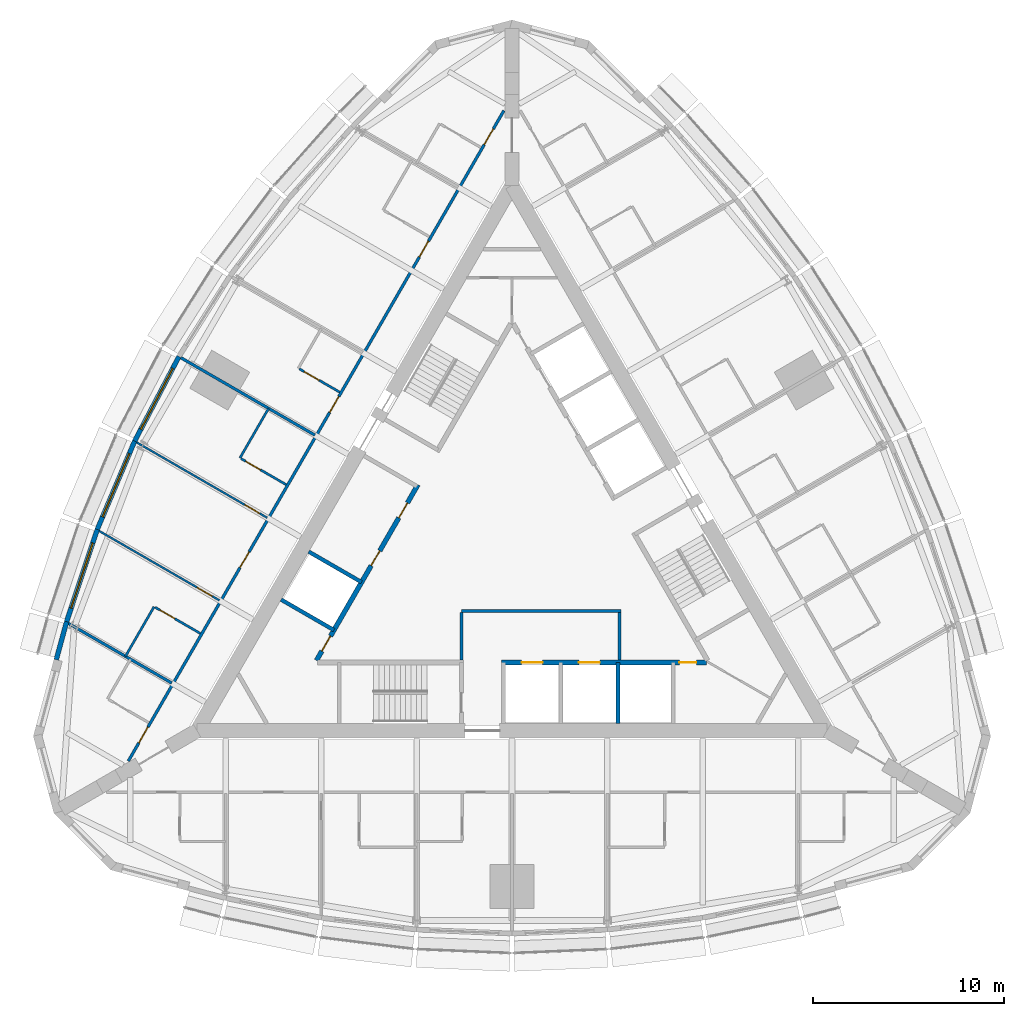
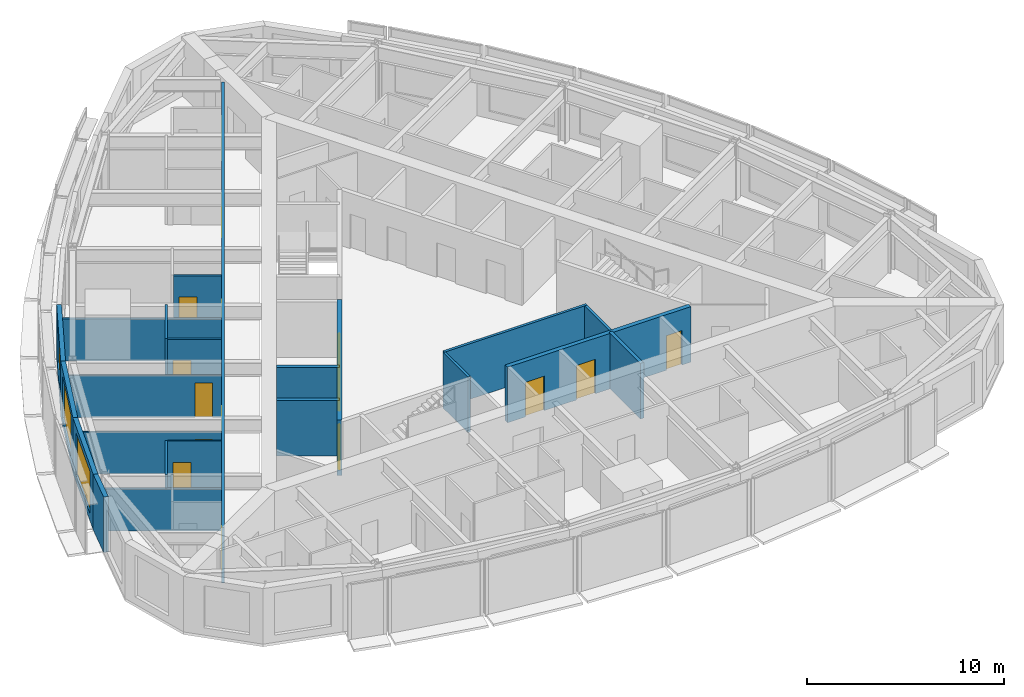
# One storey, part 10 of 15: 22 walls, 16 doors, 3 windows, 19 openings.
"""IFC4 building model written with IfcOpenShell, lengths in metres."""

from ifc_helpers import new_model, si_unit, direction, frame, frame_2d, origin, place, context, subcontext, project, spatial, rectangle, extrude, material, layer, layer_set, type_object, element, fill, save


model = new_model("IFC4")

# Units and contexts
model_context = context("Model", 3, precision=1e-05, world=origin(), true_north=direction((0.0, 1.0)))
body_context = subcontext(model_context, "Body", "Model", "MODEL_VIEW")
ifc_project = project(units=[si_unit("LENGTHUNIT", "METRE"), si_unit("AREAUNIT", "SQUARE_METRE"), si_unit("VOLUMEUNIT", "CUBIC_METRE"), si_unit("PLANEANGLEUNIT", "RADIAN"), si_unit("MASSUNIT", "GRAM", prefix="KILO")], contexts=[model_context])

# Site, building, storey
site_placement = place(None, origin())
site = spatial("IfcSite", under=ifc_project, at=site_placement, CompositionType="ELEMENT")
building_placement = place(site_placement, origin())
building = spatial("IfcBuilding", under=site, at=building_placement, Name="Trikona Tower", CompositionType="ELEMENT")
storey_placement = place(building_placement, frame((0.0, 0.0, 204.5)))
storey = spatial("IfcBuildingStorey", under=building, at=storey_placement, Name="L54", CompositionType="ELEMENT", Elevation=204.5)

# Wall, opening, door
ifc_material_1 = material(Name="Metal stud and cement board", Category="gypsum")
ifc_layer_1 = layer(ifc_material_1, 0.1201171875)
ifc_layer_set_1 = layer_set([ifc_layer_1], Name="Bathroom wall 120")
wall_type_1 = type_object("IfcWallType", Name="Bathroom wall 120", PredefinedType="PLUMBINGWALL", material=ifc_layer_set_1)
wall_1_placement = place(storey_placement, frame((-9.028564453125, 8.21484375, 0.0), z_axis=(0.0, 0.0, 1.0), x_axis=(-0.866023955769, 0.500002508028, 0.0)))
wall_1 = element("IfcWall", 1, at=wall_1_placement, inside=storey, type_object=wall_type_1, Name="Bathroom wall 5414", PredefinedType="PLUMBINGWALL", context=body_context, shape_type="SweptSolid", body=[
    extrude(rectangle(XDim=2.43994140625, YDim=0.1201171875, at=frame_2d((1.219970703125, 0.0))), origin(), (0.0, 0.0, 1.0), 3.43505859375),
])
opening_1_placement = place(wall_1_placement, frame((1.25, 0.0, 0.0)))
opening_1 = element("IfcOpeningElement", 2, at=opening_1_placement, cuts=wall_1, Name="Opening D2", PredefinedType="OPENING", context=body_context, shape_type="SweptSolid", body=[
    extrude(rectangle(XDim=0.89990234375, YDim=2.1298828125, at=frame_2d((0.449951171875, 1.06494140625))), frame((0.0, 0.070068359375, 0.0), z_axis=(0.0, -1.0, 0.0), x_axis=(1.0, 0.0, 0.0)), (0.0, 0.0, 1.0), 0.14013671875),
])
ifc_material_2 = material(Name="Steel door frame with solid-core timber leaf", Category="steel")
door_type_1 = type_object("IfcDoorType", Name="Bathroom door 900x2130", OperationType="SLIDING_TO_LEFT", PredefinedType="DOOR", material=ifc_material_2)
door_1_placement = place(opening_1_placement, origin())
door_1 = element("IfcDoor", 3, at=door_1_placement, inside=storey, type_object=door_type_1, Name="Bathroom door 5414", OperationType="SLIDING_TO_LEFT", OverallHeight=2.1298828125, OverallWidth=0.89990234375, PredefinedType="DOOR", context=body_context, shape_type="SweptSolid", body=[
    extrude(rectangle(XDim=0.89990234375, YDim=2.1298828125, at=frame_2d((0.449951171875, 1.06494140625))), frame((0.0, 0.02490234375, 0.0), z_axis=(0.0, -1.0, 0.0), x_axis=(1.0, 0.0, 0.0)), (0.0, 0.0, 1.0), 0.050048828125),
])
fill(opening_1, door_1)

# Wall
wall_2_placement = place(storey_placement, frame((-12.75341796875, 7.363037109375, 0.0), z_axis=(0.0, 0.0, 1.0), x_axis=(-0.50002537861, -0.866010750942, 0.0)))
element("IfcWall", 4, at=wall_2_placement, inside=storey, type_object=wall_type_1, Name="Bathroom wall 5415.1", PredefinedType="PLUMBINGWALL", context=body_context, shape_type="SweptSolid", body=[
    extrude(rectangle(XDim=2.999755859375, YDim=0.1201171875, at=frame_2d((1.5, 0.0))), origin(), (0.0, 0.0, 1.0), 3.43505859375),
])

# Wall, opening, door
wall_3_placement = place(storey_placement, frame((-11.82861328125, 3.364990234375, 0.0), z_axis=(0.0, 0.0, 1.0), x_axis=(-0.865997131366, 0.500048966069, 0.0)))
wall_3 = element("IfcWall", 5, at=wall_3_placement, inside=storey, type_object=wall_type_1, Name="Bathroom wall 5415.1", PredefinedType="PLUMBINGWALL", context=body_context, shape_type="SweptSolid", body=[
    extrude(rectangle(XDim=2.739990234375, YDim=0.1201171875, at=frame_2d((1.3701171875, 0.0))), origin(), (0.0, 0.0, 1.0), 3.43505859375),
])
opening_2_placement = place(wall_3_placement, frame((1.550048828125, 0.0, 0.0)))
opening_2 = element("IfcOpeningElement", 6, at=opening_2_placement, cuts=wall_3, Name="Opening D2", PredefinedType="OPENING", context=body_context, shape_type="SweptSolid", body=[
    extrude(rectangle(XDim=0.89990234375, YDim=2.1298828125, at=frame_2d((0.449951171875, 1.06494140625))), frame((0.0, 0.070068359375, 0.0), z_axis=(0.0, -1.0, 0.0), x_axis=(1.0, 0.0, 0.0)), (0.0, 0.0, 1.0), 0.14013671875),
])
door_2_placement = place(opening_2_placement, origin())
door_2 = element("IfcDoor", 7, at=door_2_placement, inside=storey, type_object=door_type_1, Name="Bathroom door 5415.1", OperationType="SLIDING_TO_LEFT", OverallHeight=2.1298828125, OverallWidth=0.89990234375, PredefinedType="DOOR", context=body_context, shape_type="SweptSolid", body=[
    extrude(rectangle(XDim=0.89990234375, YDim=2.1298828125, at=frame_2d((0.449951171875, 1.06494140625))), frame((0.0, 0.02490234375, 0.0), z_axis=(0.0, -1.0, 0.0), x_axis=(1.0, 0.0, 0.0)), (0.0, 0.0, 1.0), 0.050048828125),
])
fill(opening_2, door_2)

# Wall
wall_4_placement = place(storey_placement, frame((-18.75341796875, -3.029296875, 0.0), z_axis=(0.0, 0.0, 1.0), x_axis=(-0.50002537861, -0.866010750942, 0.0)))
element("IfcWall", 8, at=wall_4_placement, inside=storey, type_object=wall_type_1, Name="Bathroom wall 5415.2", PredefinedType="PLUMBINGWALL", context=body_context, shape_type="SweptSolid", body=[
    extrude(rectangle(XDim=2.999755859375, YDim=0.1201171875, at=frame_2d((1.5, 0.0))), origin(), (0.0, 0.0, 1.0), 3.43505859375),
])

# Wall, opening, door
wall_5_placement = place(storey_placement, frame((-16.32861328125, -4.42919921875, 0.0), z_axis=(0.0, 0.0, 1.0), x_axis=(-0.865997131366, 0.500048966069, 0.0)))
wall_5 = element("IfcWall", 9, at=wall_5_placement, inside=storey, type_object=wall_type_1, Name="Bathroom wall 5415.2", PredefinedType="PLUMBINGWALL", context=body_context, shape_type="SweptSolid", body=[
    extrude(rectangle(XDim=2.739990234375, YDim=0.1201171875, at=frame_2d((1.3701171875, 0.0))), origin(), (0.0, 0.0, 1.0), 3.43505859375),
])
opening_3_placement = place(wall_5_placement, frame((1.550048828125, 0.0, 0.0)))
opening_3 = element("IfcOpeningElement", 10, at=opening_3_placement, cuts=wall_5, Name="Opening D2", PredefinedType="OPENING", context=body_context, shape_type="SweptSolid", body=[
    extrude(rectangle(XDim=0.89990234375, YDim=2.1298828125, at=frame_2d((0.449951171875, 1.06494140625))), frame((0.0, 0.070068359375, 0.0), z_axis=(0.0, -1.0, 0.0), x_axis=(1.0, 0.0, 0.0)), (0.0, 0.0, 1.0), 0.14013671875),
])
door_3_placement = place(opening_3_placement, origin())
door_3 = element("IfcDoor", 11, at=door_3_placement, inside=storey, type_object=door_type_1, Name="Bathroom door 5415.2", OperationType="SLIDING_TO_LEFT", OverallHeight=2.1298828125, OverallWidth=0.89990234375, PredefinedType="DOOR", context=body_context, shape_type="SweptSolid", body=[
    extrude(rectangle(XDim=0.89990234375, YDim=2.1298828125, at=frame_2d((0.449951171875, 1.06494140625))), frame((0.0, 0.02490234375, 0.0), z_axis=(0.0, -1.0, 0.0), x_axis=(1.0, 0.0, 0.0)), (0.0, 0.0, 1.0), 0.050048828125),
])
fill(opening_3, door_3)

# Wall, openings, doors
ifc_material_3 = material(Name="Metal stud and gypsum board, 1-hour", Category="gypsum")
ifc_layer_2 = layer(ifc_material_3, 0.14990234375)
ifc_layer_set_2 = layer_set([ifc_layer_2], Name="Corridor wall 150")
wall_type_2 = type_object("IfcWallType", Name="Corridor wall 150", PredefinedType="PARTITIONING", material=ifc_layer_set_2)
wall_6_placement = place(storey_placement, frame((-0.425048828125, 22.96630859375, 0.0), z_axis=(0.0, 0.0, 1.0), x_axis=(-0.500000265775, -0.866025250339, 0.0)))
wall_6 = element("IfcWall", 12, at=wall_6_placement, inside=storey, type_object=wall_type_2, Name="Corridor wall L54-3", PredefinedType="PARTITIONING", context=body_context, shape_type="SweptSolid", body=[
    extrude(rectangle(XDim=39.35400390625, YDim=0.14990234375, at=frame_2d((19.677001953125, 0.0))), origin(), (0.0, 0.0, 1.0), 3.43505859375),
])
opening_4_placement = place(wall_6_placement, frame((1.10205078125, 0.0, 0.0)))
opening_4 = element("IfcOpeningElement", 13, at=opening_4_placement, cuts=wall_6, Name="Opening D1", PredefinedType="OPENING", context=body_context, shape_type="SweptSolid", body=[
    extrude(rectangle(XDim=0.949951171875, YDim=2.1298828125, at=frame_2d((0.47509765625, 1.06494140625))), frame((0.0, 0.0849609375, 0.0), z_axis=(0.0, -1.0, 0.0), x_axis=(1.0, 0.0, 0.0)), (0.0, 0.0, 1.0), 0.169921875),
])
opening_5_placement = place(wall_6_placement, frame((7.902099609375, 0.0, 0.0)))
opening_5 = element("IfcOpeningElement", 14, at=opening_5_placement, cuts=wall_6, Name="Opening D1", PredefinedType="OPENING", context=body_context, shape_type="SweptSolid", body=[
    extrude(rectangle(XDim=0.949951171875, YDim=2.1298828125, at=frame_2d((0.47509765625, 1.06494140625))), frame((0.0, 0.0849609375, 0.0), z_axis=(0.0, -1.0, 0.0), x_axis=(1.0, 0.0, 0.0)), (0.0, 0.0, 1.0), 0.169921875),
])
opening_6_placement = place(wall_6_placement, frame((17.302001953125, 0.0, 0.0)))
opening_6 = element("IfcOpeningElement", 15, at=opening_6_placement, cuts=wall_6, Name="Opening D1", PredefinedType="OPENING", context=body_context, shape_type="SweptSolid", body=[
    extrude(rectangle(XDim=0.949951171875, YDim=2.1298828125, at=frame_2d((0.47509765625, 1.06494140625))), frame((0.0, 0.0849609375, 0.0), z_axis=(0.0, -1.0, 0.0), x_axis=(1.0, 0.0, 0.0)), (0.0, 0.0, 1.0), 0.169921875),
])
opening_7_placement = place(wall_6_placement, frame((26.701904296875, 0.0, 0.0)))
opening_7 = element("IfcOpeningElement", 16, at=opening_7_placement, cuts=wall_6, Name="Opening D1", PredefinedType="OPENING", context=body_context, shape_type="SweptSolid", body=[
    extrude(rectangle(XDim=0.949951171875, YDim=2.1298828125, at=frame_2d((0.47509765625, 1.06494140625))), frame((0.0, 0.0849609375, 0.0), z_axis=(0.0, -1.0, 0.0), x_axis=(1.0, 0.0, 0.0)), (0.0, 0.0, 1.0), 0.169921875),
])
opening_8_placement = place(wall_6_placement, frame((37.302001953125, 0.0, 0.0)))
opening_8 = element("IfcOpeningElement", 17, at=opening_8_placement, cuts=wall_6, Name="Opening D1", PredefinedType="OPENING", context=body_context, shape_type="SweptSolid", body=[
    extrude(rectangle(XDim=0.949951171875, YDim=2.1298828125, at=frame_2d((0.47509765625, 1.06494140625))), frame((0.0, 0.0849609375, 0.0), z_axis=(0.0, -1.0, 0.0), x_axis=(1.0, 0.0, 0.0)), (0.0, 0.0, 1.0), 0.169921875),
])
ifc_material_4 = material(Name="Steel door frame with solid-core timber leaf", Category="steel")
door_type_2 = type_object("IfcDoorType", Name="Guest room door 950x2130", OperationType="SINGLE_SWING_LEFT", PredefinedType="DOOR", material=ifc_material_4)
door_4_placement = place(opening_4_placement, origin())
door_4 = element("IfcDoor", 18, at=door_4_placement, inside=storey, type_object=door_type_2, Name="Room door 5412", OperationType="SINGLE_SWING_LEFT", OverallHeight=2.1298828125, OverallWidth=0.949951171875, PredefinedType="DOOR", context=body_context, shape_type="SweptSolid", body=[
    extrude(rectangle(XDim=0.949951171875, YDim=2.1298828125, at=frame_2d((0.47509765625, 1.06494140625))), frame((0.0, 0.02490234375, 0.0), z_axis=(0.0, -1.0, 0.0), x_axis=(1.0, 0.0, 0.0)), (0.0, 0.0, 1.0), 0.050048828125),
])
fill(opening_4, door_4)
door_5_placement = place(opening_5_placement, origin())
door_5 = element("IfcDoor", 19, at=door_5_placement, inside=storey, type_object=door_type_2, Name="Room door 5413", OperationType="SINGLE_SWING_RIGHT", OverallHeight=2.1298828125, OverallWidth=0.949951171875, PredefinedType="DOOR", context=body_context, shape_type="SweptSolid", body=[
    extrude(rectangle(XDim=0.949951171875, YDim=2.1298828125, at=frame_2d((0.47509765625, 1.06494140625))), frame((0.0, 0.02490234375, 0.0), z_axis=(0.0, -1.0, 0.0), x_axis=(1.0, 0.0, 0.0)), (0.0, 0.0, 1.0), 0.050048828125),
])
fill(opening_5, door_5)
door_6_placement = place(opening_6_placement, origin())
door_6 = element("IfcDoor", 20, at=door_6_placement, inside=storey, type_object=door_type_2, Name="Room door 5414", OperationType="SINGLE_SWING_LEFT", OverallHeight=2.1298828125, OverallWidth=0.949951171875, PredefinedType="DOOR", context=body_context, shape_type="SweptSolid", body=[
    extrude(rectangle(XDim=0.949951171875, YDim=2.1298828125, at=frame_2d((0.47509765625, 1.06494140625))), frame((0.0, 0.02490234375, 0.0), z_axis=(0.0, -1.0, 0.0), x_axis=(1.0, 0.0, 0.0)), (0.0, 0.0, 1.0), 0.050048828125),
])
fill(opening_6, door_6)
door_7_placement = place(opening_7_placement, origin())
door_7 = element("IfcDoor", 21, at=door_7_placement, inside=storey, type_object=door_type_2, Name="Room door 5415", OperationType="SINGLE_SWING_RIGHT", OverallHeight=2.1298828125, OverallWidth=0.949951171875, PredefinedType="DOOR", context=body_context, shape_type="SweptSolid", body=[
    extrude(rectangle(XDim=0.949951171875, YDim=2.1298828125, at=frame_2d((0.47509765625, 1.06494140625))), frame((0.0, 0.02490234375, 0.0), z_axis=(0.0, -1.0, 0.0), x_axis=(1.0, 0.0, 0.0)), (0.0, 0.0, 1.0), 0.050048828125),
])
fill(opening_7, door_7)
door_8_placement = place(opening_8_placement, origin())
door_8 = element("IfcDoor", 22, at=door_8_placement, inside=storey, type_object=door_type_2, Name="Room door 5416", OperationType="SINGLE_SWING_RIGHT", OverallHeight=2.1298828125, OverallWidth=0.949951171875, PredefinedType="DOOR", context=body_context, shape_type="SweptSolid", body=[
    extrude(rectangle(XDim=0.949951171875, YDim=2.1298828125, at=frame_2d((0.47509765625, 1.06494140625))), frame((0.0, 0.02490234375, 0.0), z_axis=(0.0, -1.0, 0.0), x_axis=(1.0, 0.0, 0.0)), (0.0, 0.0, 1.0), 0.050048828125),
])
fill(opening_8, door_8)

ifc_material_5 = material(Name="Concrete f'c 8000 psi", Category="concrete")
ifc_layer_3 = layer(ifc_material_5, 0.25)
ifc_layer_set_3 = layer_set([ifc_layer_3], Name="Hub wall 250")
wall_type_3 = type_object("IfcWallType", Name="Hub wall 250", PredefinedType="SOLIDWALL", material=ifc_layer_set_3)
wall_7_placement = place(storey_placement, frame((-0.550048828125, -5.951416015625, 0.0), z_axis=(0.0, 0.0, 1.0), x_axis=(1.0, 0.0, 0.0)))
wall_7 = element("IfcWall", 23, at=wall_7_placement, inside=storey, type_object=wall_type_3, Name="Lift lobby wall A2", PredefinedType="SOLIDWALL", context=body_context, shape_type="SweptSolid", body=[
    extrude(rectangle(XDim=10.73291015625, YDim=0.25, at=frame_2d((5.366455078125, 0.0))), origin(), (0.0, 0.0, 1.0), 3.43505859375),
])
opening_9_placement = place(wall_7_placement, frame((9.31396484375, 0.0, 0.0)))
opening_9 = element("IfcOpeningElement", 24, at=opening_9_placement, cuts=wall_7, Name="Opening D14", PredefinedType="OPENING", context=body_context, shape_type="SweptSolid", body=[
    extrude(rectangle(XDim=0.89990234375, YDim=2.1298828125, at=frame_2d((0.449951171875, 1.06494140625))), frame((0.0, 0.135009765625, 0.0), z_axis=(0.0, -1.0, 0.0), x_axis=(1.0, 0.0, 0.0)), (0.0, 0.0, 1.0), 0.27001953125),
])
opening_10_placement = place(wall_7_placement, frame((1.050048828125, 0.0, 0.0)))
opening_10 = element("IfcOpeningElement", 25, at=opening_10_placement, cuts=wall_7, Name="Opening LD", PredefinedType="OPENING", context=body_context, shape_type="SweptSolid", body=[
    extrude(rectangle(XDim=1.10009765625, YDim=2.1298828125, at=frame_2d((0.550048828125, 1.06494140625))), frame((0.0, 0.135009765625, 0.0), z_axis=(0.0, -1.0, 0.0), x_axis=(1.0, 0.0, 0.0)), (0.0, 0.0, 1.0), 0.27001953125),
])
opening_11_placement = place(wall_7_placement, frame((4.050048828125, 0.0, 0.0)))
opening_11 = element("IfcOpeningElement", 26, at=opening_11_placement, cuts=wall_7, Name="Opening LD", PredefinedType="OPENING", context=body_context, shape_type="SweptSolid", body=[
    extrude(rectangle(XDim=1.10009765625, YDim=2.1298828125, at=frame_2d((0.550048828125, 1.06494140625))), frame((0.0, 0.135009765625, 0.0), z_axis=(0.0, -1.0, 0.0), x_axis=(1.0, 0.0, 0.0)), (0.0, 0.0, 1.0), 0.27001953125),
])
ifc_material_6 = material(Name="Stainless steel lift landing door", Category="steel")
door_type_3 = type_object("IfcDoorType", Name="Lift landing door 1100x2130", OperationType="DOUBLE_DOOR_SLIDING", PredefinedType="USERDEFINED", material=ifc_material_6)
door_9_placement = place(opening_10_placement, origin())
door_9 = element("IfcDoor", 27, at=door_9_placement, inside=storey, type_object=door_type_3, Name="Lift landing door FF1", ObjectType="LIFT LANDING DOOR", OperationType="DOUBLE_DOOR_SLIDING", OverallHeight=2.1298828125, OverallWidth=1.10009765625, PredefinedType="USERDEFINED", context=body_context, shape_type="SweptSolid", body=[
    extrude(rectangle(XDim=1.10009765625, YDim=2.1298828125, at=frame_2d((0.550048828125, 1.06494140625))), frame((0.0, 0.02490234375, 0.0), z_axis=(0.0, -1.0, 0.0), x_axis=(1.0, 0.0, 0.0)), (0.0, 0.0, 1.0), 0.050048828125),
])
fill(opening_10, door_9)
door_10_placement = place(opening_11_placement, origin())
door_10 = element("IfcDoor", 28, at=door_10_placement, inside=storey, type_object=door_type_3, Name="Lift landing door FF2", ObjectType="LIFT LANDING DOOR", OperationType="DOUBLE_DOOR_SLIDING", OverallHeight=2.1298828125, OverallWidth=1.10009765625, PredefinedType="USERDEFINED", context=body_context, shape_type="SweptSolid", body=[
    extrude(rectangle(XDim=1.10009765625, YDim=2.1298828125, at=frame_2d((0.550048828125, 1.06494140625))), frame((0.0, 0.02490234375, 0.0), z_axis=(0.0, -1.0, 0.0), x_axis=(1.0, 0.0, 0.0)), (0.0, 0.0, 1.0), 0.050048828125),
])
fill(opening_11, door_10)
ifc_material_7 = material(Name="Hollow metal door and frame", Category="steel")
door_type_4 = type_object("IfcDoorType", Name="Service room door 900x2130", OperationType="SINGLE_SWING_LEFT", PredefinedType="DOOR", material=ifc_material_7)
door_11_placement = place(opening_9_placement, origin())
door_11 = element("IfcDoor", 29, at=door_11_placement, inside=storey, type_object=door_type_4, Name="Door Ice and vending ICE", OperationType="SINGLE_SWING_RIGHT", OverallHeight=2.1298828125, OverallWidth=0.89990234375, PredefinedType="DOOR", context=body_context, shape_type="SweptSolid", body=[
    extrude(rectangle(XDim=0.89990234375, YDim=2.1298828125, at=frame_2d((0.449951171875, 1.06494140625))), frame((0.0, 0.02490234375, 0.0), z_axis=(0.0, -1.0, 0.0), x_axis=(1.0, 0.0, 0.0)), (0.0, 0.0, 1.0), 0.050048828125),
])
fill(opening_9, door_11)

wall_8_placement = place(storey_placement, frame((-4.928955078125, 3.365478515625, 0.0), z_axis=(0.0, 0.0, 1.0), x_axis=(-0.499991433582, -0.866030349552, 0.0)))
wall_8 = element("IfcWall", 30, at=wall_8_placement, inside=storey, type_object=wall_type_3, Name="Lift lobby wall C2", PredefinedType="SOLIDWALL", context=body_context, shape_type="SweptSolid", body=[
    extrude(rectangle(XDim=10.633056640625, YDim=0.25, at=frame_2d((5.31640625, 0.0))), origin(), (0.0, 0.0, 1.0), 3.43505859375),
])
opening_12_placement = place(wall_8_placement, frame((9.1640625, 0.0, 0.0)))
opening_12 = element("IfcOpeningElement", 31, at=opening_12_placement, cuts=wall_8, Name="Opening D14", PredefinedType="OPENING", context=body_context, shape_type="SweptSolid", body=[
    extrude(rectangle(XDim=0.89990234375, YDim=2.1298828125, at=frame_2d((0.449951171875, 1.06494140625))), frame((0.0, 0.135009765625, 0.0), z_axis=(0.0, -1.0, 0.0), x_axis=(1.0, 0.0, 0.0)), (0.0, 0.0, 1.0), 0.27001953125),
])
opening_13_placement = place(wall_8_placement, frame((1.10009765625, 0.0, 0.0)))
opening_13 = element("IfcOpeningElement", 32, at=opening_13_placement, cuts=wall_8, Name="Opening D14", PredefinedType="OPENING", context=body_context, shape_type="SweptSolid", body=[
    extrude(rectangle(XDim=0.89990234375, YDim=2.1298828125, at=frame_2d((0.449951171875, 1.06494140625))), frame((0.0, 0.135009765625, 0.0), z_axis=(0.0, -1.0, 0.0), x_axis=(1.0, 0.0, 0.0)), (0.0, 0.0, 1.0), 0.27001953125),
])
opening_14_placement = place(wall_8_placement, frame((4.0, 0.0, 0.0)))
opening_14 = element("IfcOpeningElement", 33, at=opening_14_placement, cuts=wall_8, Name="Opening D14", PredefinedType="OPENING", context=body_context, shape_type="SweptSolid", body=[
    extrude(rectangle(XDim=0.89990234375, YDim=2.1298828125, at=frame_2d((0.449951171875, 1.06494140625))), frame((0.0, 0.135009765625, 0.0), z_axis=(0.0, -1.0, 0.0), x_axis=(1.0, 0.0, 0.0)), (0.0, 0.0, 1.0), 0.27001953125),
])
door_12_placement = place(opening_12_placement, origin())
door_12 = element("IfcDoor", 34, at=door_12_placement, inside=storey, type_object=door_type_4, Name="Door Linen store LIN", OperationType="SINGLE_SWING_RIGHT", OverallHeight=2.1298828125, OverallWidth=0.89990234375, PredefinedType="DOOR", context=body_context, shape_type="SweptSolid", body=[
    extrude(rectangle(XDim=0.89990234375, YDim=2.1298828125, at=frame_2d((0.449951171875, 1.06494140625))), frame((0.0, 0.02490234375, 0.0), z_axis=(0.0, -1.0, 0.0), x_axis=(1.0, 0.0, 0.0)), (0.0, 0.0, 1.0), 0.050048828125),
])
fill(opening_12, door_12)
door_13_placement = place(opening_13_placement, origin())
door_13 = element("IfcDoor", 35, at=door_13_placement, inside=storey, type_object=door_type_4, Name="Door Guest pantry PAN1", OperationType="SINGLE_SWING_LEFT", OverallHeight=2.1298828125, OverallWidth=0.89990234375, PredefinedType="DOOR", context=body_context, shape_type="SweptSolid", body=[
    extrude(rectangle(XDim=0.89990234375, YDim=2.1298828125, at=frame_2d((0.449951171875, 1.06494140625))), frame((0.0, 0.02490234375, 0.0), z_axis=(0.0, -1.0, 0.0), x_axis=(1.0, 0.0, 0.0)), (0.0, 0.0, 1.0), 0.050048828125),
])
fill(opening_13, door_13)
door_14_placement = place(opening_14_placement, origin())
door_14 = element("IfcDoor", 36, at=door_14_placement, inside=storey, type_object=door_type_4, Name="Door Guest pantry PAN1", OperationType="SINGLE_SWING_RIGHT", OverallHeight=2.1298828125, OverallWidth=0.89990234375, PredefinedType="DOOR", context=body_context, shape_type="SweptSolid", body=[
    extrude(rectangle(XDim=0.89990234375, YDim=2.1298828125, at=frame_2d((0.449951171875, 1.06494140625))), frame((0.0, 0.02490234375, 0.0), z_axis=(0.0, -1.0, 0.0), x_axis=(1.0, 0.0, 0.0)), (0.0, 0.0, 1.0), 0.050048828125),
])
fill(opening_14, door_14)

# Wall, opening, window
ifc_material_8 = material(Name="Insulated precast concrete spandrel panel", Category="concrete")
ifc_layer_4 = layer(ifc_material_8, 0.25)
ifc_layer_set_4 = layer_set([ifc_layer_4], Name="Inner skin wall 250")
wall_type_4 = type_object("IfcWallType", Name="Inner skin wall 250", PredefinedType="STANDARD", material=ifc_layer_set_4)
wall_9_placement = place(storey_placement, frame((-17.450439453125, 10.080810546875, 0.0), z_axis=(0.0, 0.0, 1.0), x_axis=(-0.463976002579, -0.885847768542, 0.0)))
wall_9 = element("IfcWall", 37, at=wall_9_placement, inside=storey, type_object=wall_type_4, Name="External wall L54-28", PredefinedType="STANDARD", context=body_context, shape_type="SweptSolid", body=[
    extrude(rectangle(XDim=5.004150390625, YDim=0.25, at=frame_2d((2.501953125, 0.0))), origin(), (0.0, 0.0, 1.0), 3.43505859375),
])
opening_15_placement = place(wall_9_placement, frame((0.7021484375, 0.0, 0.449951171875)))
opening_15 = element("IfcOpeningElement", 38, at=opening_15_placement, cuts=wall_9, Name="Opening W3626", PredefinedType="OPENING", context=body_context, shape_type="SweptSolid", body=[
    extrude(rectangle(XDim=3.60009765625, YDim=2.60009765625, at=frame_2d((1.800048828125, 1.300048828125))), frame((0.0, 0.135009765625, 0.0), z_axis=(0.0, -1.0, 0.0), x_axis=(1.0, 0.0, 0.0)), (0.0, 0.0, 1.0), 0.27001953125),
])
ifc_material_9 = material(Name="Aluminium-framed double glazing", Category="aluminium")
window_type = type_object("IfcWindowType", Name="Window 3600x2600", PartitioningType="SINGLE_PANEL", PredefinedType="WINDOW", material=ifc_material_9)
window_1_placement = place(opening_15_placement, origin())
window_1 = element("IfcWindow", 39, at=window_1_placement, inside=storey, type_object=window_type, Name="Window 5415.1", OverallHeight=2.60009765625, OverallWidth=3.60009765625, PartitioningType="SINGLE_PANEL", PredefinedType="WINDOW", context=body_context, shape_type="SweptSolid", body=[
    extrude(rectangle(XDim=3.60009765625, YDim=2.60009765625, at=frame_2d((1.800048828125, 1.300048828125))), frame((0.0, 0.030029296875, 0.0), z_axis=(0.0, -1.0, 0.0), x_axis=(1.0, 0.0, 0.0)), (0.0, 0.0, 1.0), 0.06005859375),
])
fill(opening_15, window_1)

wall_10_placement = place(storey_placement, frame((-19.767578125, 5.656982421875, 0.0), z_axis=(0.0, 0.0, 1.0), x_axis=(-0.390096809471, -0.920773848044, 0.0)))
wall_10 = element("IfcWall", 40, at=wall_10_placement, inside=storey, type_object=wall_type_4, Name="External wall L54-29", PredefinedType="STANDARD", context=body_context, shape_type="SweptSolid", body=[
    extrude(rectangle(XDim=5.0380859375, YDim=0.25, at=frame_2d((2.51904296875, 0.0))), origin(), (0.0, 0.0, 1.0), 3.43505859375),
])
opening_16_placement = place(wall_10_placement, frame((0.718994140625, 0.0, 0.449951171875)))
opening_16 = element("IfcOpeningElement", 41, at=opening_16_placement, cuts=wall_10, Name="Opening W3626", PredefinedType="OPENING", context=body_context, shape_type="SweptSolid", body=[
    extrude(rectangle(XDim=3.60009765625, YDim=2.60009765625, at=frame_2d((1.800048828125, 1.300048828125))), frame((0.0, 0.135009765625, 0.0), z_axis=(0.0, -1.0, 0.0), x_axis=(1.0, 0.0, 0.0)), (0.0, 0.0, 1.0), 0.27001953125),
])
window_2_placement = place(opening_16_placement, origin())
window_2 = element("IfcWindow", 42, at=window_2_placement, inside=storey, type_object=window_type, Name="Window 5415", OverallHeight=2.60009765625, OverallWidth=3.60009765625, PartitioningType="SINGLE_PANEL", PredefinedType="WINDOW", context=body_context, shape_type="SweptSolid", body=[
    extrude(rectangle(XDim=3.60009765625, YDim=2.60009765625, at=frame_2d((1.800048828125, 1.300048828125))), frame((0.0, 0.030029296875, 0.0), z_axis=(0.0, -1.0, 0.0), x_axis=(1.0, 0.0, 0.0)), (0.0, 0.0, 1.0), 0.06005859375),
])
fill(opening_16, window_2)

wall_11_placement = place(storey_placement, frame((-21.729248046875, 1.027587890625, 0.0), z_axis=(0.0, 0.0, 1.0), x_axis=(-0.315108478109, -0.949055660656, 0.0)))
wall_11 = element("IfcWall", 43, at=wall_11_placement, inside=storey, type_object=wall_type_4, Name="External wall L54-30", PredefinedType="STANDARD", context=body_context, shape_type="SweptSolid", body=[
    extrude(rectangle(XDim=5.10498046875, YDim=0.25, at=frame_2d((2.552490234375, 0.0))), origin(), (0.0, 0.0, 1.0), 3.43505859375),
])
opening_17_placement = place(wall_11_placement, frame((0.75244140625, 0.0, 0.449951171875)))
opening_17 = element("IfcOpeningElement", 44, at=opening_17_placement, cuts=wall_11, Name="Opening W3626", PredefinedType="OPENING", context=body_context, shape_type="SweptSolid", body=[
    extrude(rectangle(XDim=3.60009765625, YDim=2.60009765625, at=frame_2d((1.800048828125, 1.300048828125))), frame((0.0, 0.135009765625, 0.0), z_axis=(0.0, -1.0, 0.0), x_axis=(1.0, 0.0, 0.0)), (0.0, 0.0, 1.0), 0.27001953125),
])
window_3_placement = place(opening_17_placement, origin())
window_3 = element("IfcWindow", 45, at=window_3_placement, inside=storey, type_object=window_type, Name="Window 5415.2", OverallHeight=2.60009765625, OverallWidth=3.60009765625, PartitioningType="SINGLE_PANEL", PredefinedType="WINDOW", context=body_context, shape_type="SweptSolid", body=[
    extrude(rectangle(XDim=3.60009765625, YDim=2.60009765625, at=frame_2d((1.800048828125, 1.300048828125))), frame((0.0, 0.030029296875, 0.0), z_axis=(0.0, -1.0, 0.0), x_axis=(1.0, 0.0, 0.0)), (0.0, 0.0, 1.0), 0.06005859375),
])
fill(opening_17, window_3)

# Walls
wall_12_placement = place(storey_placement, frame((-23.335693359375, -3.810791015625, 0.0), z_axis=(0.0, 0.0, 1.0), x_axis=(-0.262867703986, -0.964831887015, 0.0)))
element("IfcWall", 46, at=wall_12_placement, inside=storey, type_object=wall_type_4, Name="External wall L54-31", PredefinedType="STANDARD", context=body_context, shape_type="SweptSolid", body=[
    extrude(rectangle(XDim=2.068359375, YDim=0.25, at=frame_2d((1.0341796875, 0.0))), origin(), (0.0, 0.0, 1.0), 3.43505859375),
])
ifc_material_10 = material(Name="Metal stud and gypsum board, 2-hour shaft wall", Category="gypsum")
ifc_layer_5 = layer(ifc_material_10, 0.14990234375)
ifc_layer_set_5 = layer_set([ifc_layer_5], Name="Lobby wall 150")
wall_type_5 = type_object("IfcWallType", Name="Lobby wall 150", PredefinedType="PARTITIONING", material=ifc_layer_set_5)
wall_13_placement = place(storey_placement, frame((-2.64990234375, -3.251220703125, 0.0), z_axis=(0.0, 0.0, 1.0), x_axis=(1.0, 0.0, 0.0)))
element("IfcWall", 47, at=wall_13_placement, inside=storey, type_object=wall_type_5, Name="Fire service lift lobby wall 1", PredefinedType="PARTITIONING", context=body_context, shape_type="SweptSolid", body=[
    extrude(rectangle(XDim=8.349853515625, YDim=0.14990234375, at=frame_2d((4.1748046875, 0.0))), origin(), (0.0, 0.0, 1.0), 3.43505859375),
])
for number, where, z_axis, x_axis, name in (
    (48, (-2.64990234375, -5.826416015625, 0.0), (0.0, 0.0, 1.0), (0.0, 1.0, 0.0), "Fire service lift lobby wall 2"),
    (49, (5.625, -5.826416015625, 0.0), (0.0, 0.0, 1.0), (0.0, 1.0, 0.0), "Fire service lift lobby wall 3"),
):
    element("IfcWall", number, at=place(storey_placement, frame(where, z_axis=z_axis, x_axis=x_axis)), inside=storey, type_object=wall_type_5, Name=name, PredefinedType="PARTITIONING", context=body_context, shape_type="SweptSolid", body=[
        extrude(rectangle(XDim=2.5, YDim=0.14990234375, at=frame_2d((1.25, 0.0))), origin(), (0.0, 0.0, 1.0), 3.43505859375),
    ])
ifc_material_11 = material(Name="Metal stud and gypsum board, 1-hour acoustic", Category="gypsum")
ifc_layer_6 = layer(ifc_material_11, 0.14990234375)
ifc_layer_set_6 = layer_set([ifc_layer_6], Name="Party wall 150")
wall_type_6 = type_object("IfcWallType", Name="Party wall 150", PredefinedType="PARTITIONING", material=ifc_layer_set_6)
wall_14_placement = place(storey_placement, frame((-10.32861328125, 5.963134765625, 0.0), z_axis=(0.0, 0.0, 1.0), x_axis=(-0.866016460812, 0.500015489362, 0.0)))
element("IfcWall", 50, at=wall_14_placement, inside=storey, type_object=wall_type_6, Name="Partition L54 F3 u0", PredefinedType="PARTITIONING", context=body_context, shape_type="SweptSolid", body=[
    extrude(rectangle(XDim=8.101318359375, YDim=0.14990234375, at=frame_2d((4.05078125, 0.0))), origin(), (0.0, 0.0, 1.0), 2.589111328125),
])
wall_15_placement = place(storey_placement, frame((-17.82861328125, -7.027099609375, 0.0), z_axis=(0.0, 0.0, 1.0), x_axis=(-0.866026604282, 0.499997920671, 0.0)))
element("IfcWall", 51, at=wall_15_placement, inside=storey, type_object=wall_type_6, Name="Partition L54 F3 u15", PredefinedType="PARTITIONING", context=body_context, shape_type="SweptSolid", body=[
    extrude(rectangle(XDim=6.23974609375, YDim=0.14990234375, at=frame_2d((3.119873046875, 0.0))), origin(), (0.0, 0.0, 1.0), 2.589111328125),
])
ifc_material_12 = material(Name="Concrete f'c 8000 psi", Category="concrete")
ifc_layer_7 = layer(ifc_material_12, 0.199951171875)
ifc_layer_set_7 = layer_set([ifc_layer_7], Name="Shaft wall 200")
wall_type_7 = type_object("IfcWallType", Name="Shaft wall 200", PredefinedType="SOLIDWALL", material=ifc_layer_set_7)
for number, where, z_axis, x_axis, name in (
    (52, (5.550048828125, -5.951416015625, 0.0), (0.0, 0.0, 1.0), (0.0, -1.0, 0.0), "Shaft wall A5"),
    (53, (-7.87890625, -1.744140625, 0.0), (0.0, 0.0, 1.0), (-0.866042017984, 0.499971222258, 0.0), "Shaft wall C5"),
):
    element("IfcWall", number, at=place(storey_placement, frame(where, z_axis=z_axis, x_axis=x_axis)), inside=storey, type_object=wall_type_7, Name=name, PredefinedType="SOLIDWALL", context=body_context, shape_type="SweptSolid", body=[
        extrude(rectangle(XDim=3.199951171875, YDim=0.199951171875, at=frame_2d((1.60009765625, 0.0))), origin(), (0.0, 0.0, 1.0), 3.43505859375),
    ])
wall_16_placement = place(storey_placement, frame((-9.3291015625, -4.255615234375, 0.0), z_axis=(0.0, 0.0, 1.0), x_axis=(-0.866022944154, 0.50000426018, 0.0)))
element("IfcWall", 54, at=wall_16_placement, inside=storey, type_object=wall_type_7, Name="Shaft wall C6", PredefinedType="SOLIDWALL", context=body_context, shape_type="SweptSolid", body=[
    extrude(rectangle(XDim=3.19970703125, YDim=0.199951171875, at=frame_2d((1.599853515625, 0.0))), origin(), (0.0, 0.0, 1.0), 3.43505859375),
])

# Wall, opening, door
ifc_material_13 = material(Name="Metal stud and gypsum board, acoustic", Category="gypsum")
ifc_layer_8 = layer(ifc_material_13, 0.10009765625)
ifc_layer_set_8 = layer_set([ifc_layer_8], Name="Suite partition 100")
wall_type_8 = type_object("IfcWallType", Name="Suite partition 100", PredefinedType="PARTITIONING", material=ifc_layer_set_8)
wall_17_placement = place(storey_placement, frame((-12.82861328125, 1.633056640625, 0.0), z_axis=(0.0, 0.0, 1.0), x_axis=(-0.866030558329, 0.49999107196, 0.0)))
wall_17 = element("IfcWall", 55, at=wall_17_placement, inside=storey, type_object=wall_type_8, Name="Suite partition L54 F3 u5", PredefinedType="PARTITIONING", context=body_context, shape_type="SweptSolid", body=[
    extrude(rectangle(XDim=7.893798828125, YDim=0.10009765625, at=frame_2d((3.94677734375, 0.0))), origin(), (0.0, 0.0, 1.0), 2.589111328125),
])
opening_18_placement = place(wall_17_placement, frame((0.449951171875, 0.0, 0.0)))
opening_18 = element("IfcOpeningElement", 56, at=opening_18_placement, cuts=wall_17, Name="Opening D13", PredefinedType="OPENING", context=body_context, shape_type="SweptSolid", body=[
    extrude(rectangle(XDim=0.89990234375, YDim=2.1298828125, at=frame_2d((0.449951171875, 1.06494140625))), frame((0.0, 0.06005859375, 0.0), z_axis=(0.0, -1.0, 0.0), x_axis=(1.0, 0.0, 0.0)), (0.0, 0.0, 1.0), 0.1201171875),
])
ifc_material_14 = material(Name="Steel door frame with solid-core timber leaf", Category="steel")
door_type_5 = type_object("IfcDoorType", Name="Suite door 900x2130", OperationType="SINGLE_SWING_LEFT", PredefinedType="DOOR", material=ifc_material_14)
door_15_placement = place(opening_18_placement, origin())
door_15 = element("IfcDoor", 57, at=door_15_placement, inside=storey, type_object=door_type_5, Name="Suite door 5415", OperationType="SINGLE_SWING_LEFT", OverallHeight=2.1298828125, OverallWidth=0.89990234375, PredefinedType="DOOR", context=body_context, shape_type="SweptSolid", body=[
    extrude(rectangle(XDim=0.89990234375, YDim=2.1298828125, at=frame_2d((0.449951171875, 1.06494140625))), frame((0.0, 0.02490234375, 0.0), z_axis=(0.0, -1.0, 0.0), x_axis=(1.0, 0.0, 0.0)), (0.0, 0.0, 1.0), 0.050048828125),
])
fill(opening_18, door_15)

wall_18_placement = place(storey_placement, frame((-15.32861328125, -2.697021484375, 0.0), z_axis=(0.0, 0.0, 1.0), x_axis=(-0.866032413668, 0.499987858329, 0.0)))
wall_18 = element("IfcWall", 58, at=wall_18_placement, inside=storey, type_object=wall_type_8, Name="Suite partition L54 F3 u10", PredefinedType="PARTITIONING", context=body_context, shape_type="SweptSolid", body=[
    extrude(rectangle(XDim=7.272705078125, YDim=0.10009765625, at=frame_2d((3.63623046875, 0.0))), origin(), (0.0, 0.0, 1.0), 2.589111328125),
])
opening_19_placement = place(wall_18_placement, frame((0.449951171875, 0.0, 0.0)))
opening_19 = element("IfcOpeningElement", 59, at=opening_19_placement, cuts=wall_18, Name="Opening D13", PredefinedType="OPENING", context=body_context, shape_type="SweptSolid", body=[
    extrude(rectangle(XDim=0.89990234375, YDim=2.1298828125, at=frame_2d((0.449951171875, 1.06494140625))), frame((0.0, 0.06005859375, 0.0), z_axis=(0.0, -1.0, 0.0), x_axis=(1.0, 0.0, 0.0)), (0.0, 0.0, 1.0), 0.1201171875),
])
door_16_placement = place(opening_19_placement, origin())
door_16 = element("IfcDoor", 60, at=door_16_placement, inside=storey, type_object=door_type_5, Name="Suite door 5415", OperationType="SINGLE_SWING_LEFT", OverallHeight=2.1298828125, OverallWidth=0.89990234375, PredefinedType="DOOR", context=body_context, shape_type="SweptSolid", body=[
    extrude(rectangle(XDim=0.89990234375, YDim=2.1298828125, at=frame_2d((0.449951171875, 1.06494140625))), frame((0.0, 0.02490234375, 0.0), z_axis=(0.0, -1.0, 0.0), x_axis=(1.0, 0.0, 0.0)), (0.0, 0.0, 1.0), 0.050048828125),
])
fill(opening_19, door_16)

save(model, "model.ifc")
